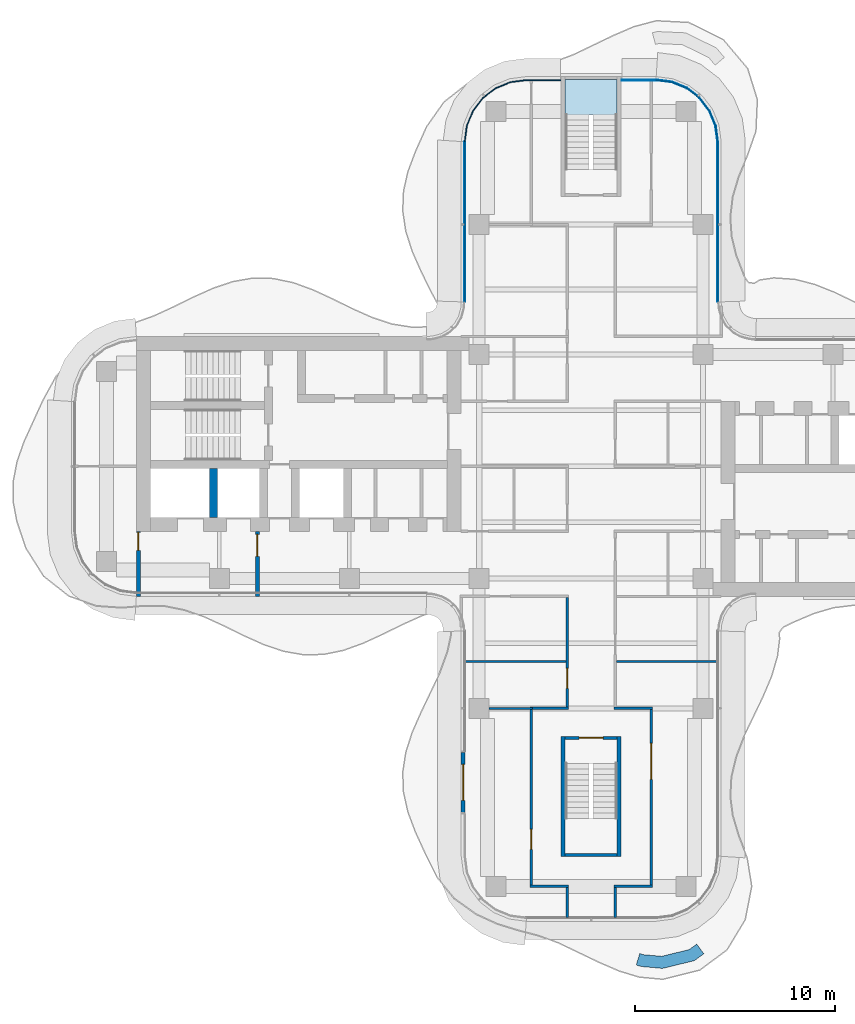
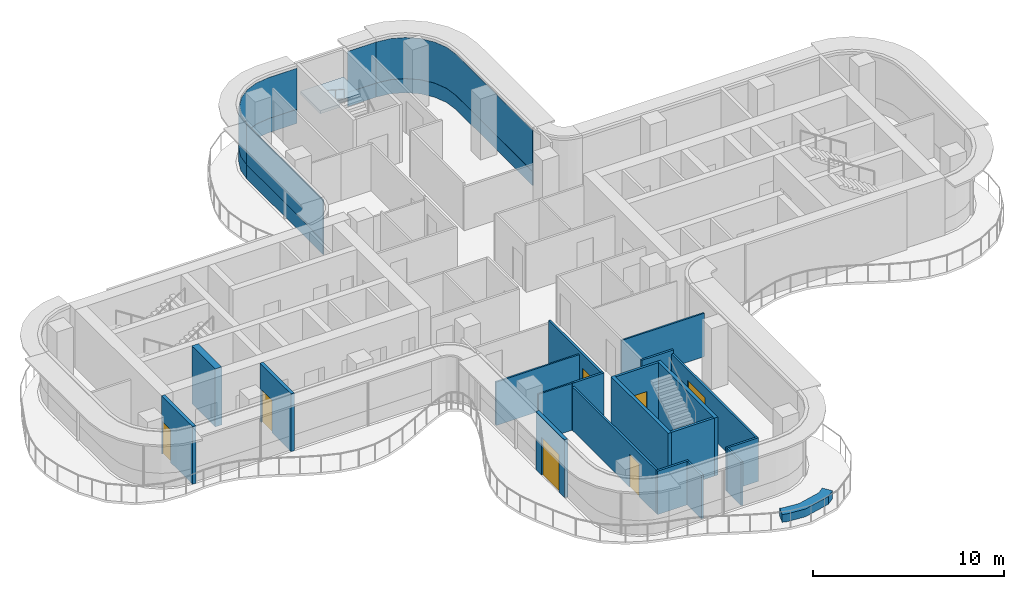
# One storey, part 10 of 16: 21 walls, 8 plates, 7 doors, 1 slab, 7 openings, 5 elements without a shape of their own.
"""IFC4 building model written with IfcOpenShell, lengths in metres."""

from ifc_helpers import new_model, si_unit, direction, frame, frame_2d, origin, place, context, subcontext, project, spatial, polyline, rectangle, outline, extrude, source, transform, mapped, material, layer, layer_set, type_object, element, fill, aggregate, save


model = new_model("IFC4")

# Units and contexts
model_context = context("Model", 3, precision=1e-05, world=origin(), true_north=direction((0.0, 1.0)))
body_context = subcontext(model_context, "Body", "Model", "MODEL_VIEW")
ifc_project = project(units=[si_unit("LENGTHUNIT", "METRE"), si_unit("AREAUNIT", "SQUARE_METRE"), si_unit("VOLUMEUNIT", "CUBIC_METRE"), si_unit("PLANEANGLEUNIT", "RADIAN"), si_unit("MASSUNIT", "GRAM", prefix="KILO")], contexts=[model_context])

# Site, building, storey
site_placement = place(None, origin())
site = spatial("IfcSite", under=ifc_project, at=site_placement, CompositionType="ELEMENT")
building_placement = place(site_placement, origin())
building = spatial("IfcBuilding", under=site, at=building_placement, Name="Trellis Farm Tower", CompositionType="ELEMENT")
storey_placement = place(building_placement, frame((0.0, 0.0, 306.699951171875)))
storey = spatial("IfcBuildingStorey", under=building, at=storey_placement, Name="L69", CompositionType="ELEMENT", Elevation=306.699951171875)

# Stair, slab
ifc_material_1 = material(Name="Concrete C50/60", Category="concrete")
stair_type = type_object("IfcStairType", Name="CORE EXIT STAIR 22 RISERS 177 MM", PredefinedType="HALF_TURN_STAIR", material=ifc_material_1)
placement_1 = place(storey_placement, origin())
stair = element("IfcStair", 1, at=placement_1, inside=storey, type_object=stair_type, Name="Exit stair N", PredefinedType="HALF_TURN_STAIR")
ifc_layer_1 = layer(ifc_material_1, 0.18994140625)
ifc_layer_set_1 = layer_set([ifc_layer_1], Name="CORE STAIR LANDING 190 CONCRETE C50/60")
slab_type = type_object("IfcSlabType", Name="CORE STAIR LANDING 190 CONCRETE C50/60", PredefinedType="LANDING", material=ifc_layer_set_1)
shared_shape_1 = source(origin(), body_context, "Body", "SweptSolid", [
    extrude(outline(polyline([(-0.10009765625, 17.27197265625), (-1.300048828125, 17.27197265625), (-1.300048828125, 17.60009765625), (-1.300048828125, 19.35009765625), (1.300048828125, 19.35009765625), (1.300048828125, 17.60009765625), (1.300048828125, 17.590087890625), (0.10009765625, 17.590087890625), (0.10009765625, 17.60009765625), (-0.10009765625, 17.60009765625), (-0.10009765625, 17.27197265625)])), origin(), (0.0, 0.0, 1.0), 0.18994140625),
])
slab_placement = place(storey_placement, frame((0.0, 0.0, 1.760009765625)))
slab = element("IfcSlab", 2, at=slab_placement, type_object=slab_type, Name="STN landing 1", PredefinedType="LANDING", context=body_context, shape_type="MappedRepresentation", body=[
    mapped(shared_shape_1, transform((0.0, 0.0, 0.0))),
])
aggregate(stair, [slab])

# Curtain wall, plates
ifc_material_2 = material(Name="Aluminium and glass curtain wall", Category="aluminium")
ifc_layer_2 = layer(ifc_material_2, 0.18994140625)
ifc_layer_set_2 = layer_set([ifc_layer_2], Name="RIBBON CURTAIN WALL CW1")
curtain_wall_type = type_object("IfcCurtainWallType", Name="RIBBON CURTAIN WALL CW1", PredefinedType="NOTDEFINED", material=ifc_layer_set_2)
curtain_wall_1 = element("IfcCurtainWall", 3, at=placement_1, inside=storey, type_object=curtain_wall_type, Name="CW1 009", PredefinedType="NOTDEFINED")
ifc_material_3 = material(Name="Clear insulated glass", Category="glass")
ifc_layer_3 = layer(ifc_material_3, 0.0400390625)
ifc_layer_set_3 = layer_set([ifc_layer_3], Name="CW1 GLASS PANEL 40")
plate_type_1 = type_object("IfcPlateType", Name="CW1 GLASS PANEL 40", PredefinedType="CURTAIN_PANEL", material=ifc_layer_set_3)
shared_shape_2 = source(origin(), body_context, "Body", "SweptSolid", [
    extrude(outline(polyline([(6.35009765625, 8.2265625), (6.35009765625, 16.240234375), (6.2431640625, 17.052001953125), (5.93359375, 17.79931640625), (5.441162109375, 18.441162109375), (4.79931640625, 18.93359375), (4.052001953125, 19.2431640625), (3.240234375, 19.35009765625), (3.237548828125, 19.31005859375), (4.04150390625, 19.2041015625), (4.779296875, 18.898681640625), (5.41259765625, 18.41259765625), (5.898681640625, 17.779296875), (6.2041015625, 17.04150390625), (6.31005859375, 16.237548828125), (6.31005859375, 8.22509765625), (6.35009765625, 8.2265625)])), origin(), (0.0, 0.0, 1.0), 2.619873046875),
])
placement_2 = place(storey_placement, frame((0.0, 0.0, 0.900146484375)))
plate_1 = element("IfcPlate", 4, at=placement_2, type_object=plate_type_1, Name="PL1 009", PredefinedType="CURTAIN_PANEL", context=body_context, shape_type="MappedRepresentation", body=[
    mapped(shared_shape_2, transform((0.0, 0.0, 0.0))),
])
ifc_material_4 = material(Name="Sandstone faced insulated panel", Category="masonry")
ifc_layer_4 = layer(ifc_material_4, 0.050048828125)
ifc_layer_set_4 = layer_set([ifc_layer_4], Name="CW1 STONE SPANDREL PANEL 50")
plate_type_2 = type_object("IfcPlateType", Name="CW1 STONE SPANDREL PANEL 50", PredefinedType="CURTAIN_PANEL", material=ifc_layer_set_4)
shared_shape_3 = source(origin(), body_context, "Body", "SweptSolid", [
    extrude(outline(polyline([(6.35009765625, 8.2265625), (6.35009765625, 16.240234375), (6.2431640625, 17.052001953125), (5.93359375, 17.79931640625), (5.441162109375, 18.441162109375), (4.79931640625, 18.93359375), (4.052001953125, 19.2431640625), (3.240234375, 19.35009765625), (3.23681640625, 19.300048828125), (4.0390625, 19.1943359375), (4.774169921875, 18.889892578125), (5.405517578125, 18.405517578125), (5.889892578125, 17.774169921875), (6.1943359375, 17.0390625), (6.300048828125, 16.23681640625), (6.300048828125, 8.224853515625), (6.35009765625, 8.2265625)])), origin(), (0.0, 0.0, 1.0), 0.900146484375),
])
plate_2 = element("IfcPlate", 5, at=placement_1, type_object=plate_type_2, Name="PS1 009", PredefinedType="CURTAIN_PANEL", context=body_context, shape_type="MappedRepresentation", body=[
    mapped(shared_shape_3, transform((0.0, 0.0, 0.0))),
])
aggregate(curtain_wall_1, [plate_1, plate_2])

curtain_wall_2 = element("IfcCurtainWall", 6, at=placement_1, inside=storey, type_object=curtain_wall_type, Name="CW1 010", PredefinedType="NOTDEFINED")
shared_shape_4 = source(origin(), body_context, "Body", "SweptSolid", [
    extrude(outline(polyline([(3.240234375, 19.35009765625), (1.530029296875, 19.35009765625), (1.530029296875, 19.31005859375), (3.237548828125, 19.31005859375), (3.240234375, 19.35009765625)])), origin(), (0.0, 0.0, 1.0), 2.619873046875),
])
plate_3 = element("IfcPlate", 7, at=placement_2, type_object=plate_type_1, Name="PL1 010", PredefinedType="CURTAIN_PANEL", context=body_context, shape_type="MappedRepresentation", body=[
    mapped(shared_shape_4, transform((0.0, 0.0, 0.0))),
])
shared_shape_5 = source(origin(), body_context, "Body", "SweptSolid", [
    extrude(outline(polyline([(3.240234375, 19.35009765625), (1.530029296875, 19.35009765625), (1.530029296875, 19.300048828125), (3.23681640625, 19.300048828125), (3.240234375, 19.35009765625)])), origin(), (0.0, 0.0, 1.0), 0.900146484375),
])
plate_4 = element("IfcPlate", 8, at=placement_1, type_object=plate_type_2, Name="PS1 010", PredefinedType="CURTAIN_PANEL", context=body_context, shape_type="MappedRepresentation", body=[
    mapped(shared_shape_5, transform((0.0, 0.0, 0.0))),
])
aggregate(curtain_wall_2, [plate_3, plate_4])

curtain_wall_3 = element("IfcCurtainWall", 9, at=placement_1, inside=storey, type_object=curtain_wall_type, Name="CW1 011", PredefinedType="NOTDEFINED")
shared_shape_6 = source(origin(), body_context, "Body", "SweptSolid", [
    extrude(outline(polyline([(-1.530029296875, 19.35009765625), (-3.240234375, 19.35009765625), (-4.052001953125, 19.2431640625), (-4.79931640625, 18.93359375), (-5.441162109375, 18.441162109375), (-5.93359375, 17.79931640625), (-6.2431640625, 17.052001953125), (-6.35009765625, 16.240234375), (-6.31005859375, 16.237548828125), (-6.2041015625, 17.04150390625), (-5.898681640625, 17.779296875), (-5.41259765625, 18.41259765625), (-4.779296875, 18.898681640625), (-4.04150390625, 19.2041015625), (-3.237548828125, 19.31005859375), (-1.530029296875, 19.31005859375), (-1.530029296875, 19.35009765625)])), origin(), (0.0, 0.0, 1.0), 2.619873046875),
])
plate_5 = element("IfcPlate", 10, at=placement_2, type_object=plate_type_1, Name="PL1 011", PredefinedType="CURTAIN_PANEL", context=body_context, shape_type="MappedRepresentation", body=[
    mapped(shared_shape_6, transform((0.0, 0.0, 0.0))),
])
shared_shape_7 = source(origin(), body_context, "Body", "SweptSolid", [
    extrude(outline(polyline([(-1.530029296875, 19.35009765625), (-3.240234375, 19.35009765625), (-4.052001953125, 19.2431640625), (-4.79931640625, 18.93359375), (-5.441162109375, 18.441162109375), (-5.93359375, 17.79931640625), (-6.2431640625, 17.052001953125), (-6.35009765625, 16.240234375), (-6.300048828125, 16.23681640625), (-6.1943359375, 17.0390625), (-5.889892578125, 17.774169921875), (-5.405517578125, 18.405517578125), (-4.774169921875, 18.889892578125), (-4.0390625, 19.1943359375), (-3.23681640625, 19.300048828125), (-1.530029296875, 19.300048828125), (-1.530029296875, 19.35009765625)])), origin(), (0.0, 0.0, 1.0), 0.900146484375),
])
plate_6 = element("IfcPlate", 11, at=placement_1, type_object=plate_type_2, Name="PS1 011", PredefinedType="CURTAIN_PANEL", context=body_context, shape_type="MappedRepresentation", body=[
    mapped(shared_shape_7, transform((0.0, 0.0, 0.0))),
])
aggregate(curtain_wall_3, [plate_5, plate_6])

curtain_wall_4 = element("IfcCurtainWall", 12, at=placement_1, inside=storey, type_object=curtain_wall_type, Name="CW1 012", PredefinedType="NOTDEFINED")
shared_shape_8 = source(origin(), body_context, "Body", "SweptSolid", [
    extrude(outline(polyline([(-6.35009765625, 16.240234375), (-6.35009765625, 8.2265625), (-6.31005859375, 8.22509765625), (-6.31005859375, 16.237548828125), (-6.35009765625, 16.240234375)])), origin(), (0.0, 0.0, 1.0), 2.619873046875),
])
plate_7 = element("IfcPlate", 13, at=placement_2, type_object=plate_type_1, Name="PL1 012", PredefinedType="CURTAIN_PANEL", context=body_context, shape_type="MappedRepresentation", body=[
    mapped(shared_shape_8, transform((0.0, 0.0, 0.0))),
])
shared_shape_9 = source(origin(), body_context, "Body", "SweptSolid", [
    extrude(outline(polyline([(-6.35009765625, 16.240234375), (-6.35009765625, 8.2265625), (-6.300048828125, 8.224853515625), (-6.300048828125, 16.23681640625), (-6.35009765625, 16.240234375)])), origin(), (0.0, 0.0, 1.0), 0.900146484375),
])
plate_8 = element("IfcPlate", 14, at=placement_1, type_object=plate_type_2, Name="PS1 012", PredefinedType="CURTAIN_PANEL", context=body_context, shape_type="MappedRepresentation", body=[
    mapped(shared_shape_9, transform((0.0, 0.0, 0.0))),
])
aggregate(curtain_wall_4, [plate_7, plate_8])

# Walls
ifc_material_5 = material(Name="Sandstone faced masonry planter", Category="masonry")
ifc_layer_5 = layer(ifc_material_5, 0.60009765625)
ifc_layer_set_5 = layer_set([ifc_layer_5], Name="PLANTER BED 600")
wall_type_1 = type_object("IfcWallType", Name="PLANTER BED 600", PredefinedType="USERDEFINED", material=ifc_layer_set_5)
element("IfcWall", 15, at=placement_1, inside=storey, type_object=wall_type_1, Name="PLANTER bed", ObjectType="PLANTER", PredefinedType="USERDEFINED", context=body_context, shape_type="SweptSolid", body=[
    extrude(outline(polyline([(3.565185546875, -25.108154296875), (2.497314453125, -25.012451171875), (2.251708984375, -24.936767578125), (2.42822265625, -24.36328125), (2.61376953125, -24.42041015625), (3.52001953125, -24.501708984375), (4.906005859375, -24.1650390625), (5.274658203125, -23.890625), (5.6328125, -24.3720703125), (5.166015625, -24.71923828125), (3.565185546875, -25.108154296875)])), origin(), (0.0, 0.0, 1.0), 0.5),
])
ifc_layer_6 = layer(ifc_material_1, 0.39990234375)
ifc_layer_set_6 = layer_set([ifc_layer_6], Name="CORE INNER WALL 400 CONCRETE C50/60")
wall_type_2 = type_object("IfcWallType", Name="CORE INNER WALL 400 CONCRETE C50/60", PredefinedType="SHEAR", material=ifc_layer_set_6)
shared_shape_10 = source(origin(), body_context, "Body", "SweptSolid", [
    extrude(rectangle(XDim=2.449951171875, YDim=0.39990234375, at=frame_2d((1.22509765625, 0.0))), origin(), (0.0, 0.0, 1.0), 3.699951171875),
])
wall_2_placement = place(storey_placement, frame((-18.89990234375, -0.10009765625, 0.0), z_axis=(0.0, 0.0, 1.0), x_axis=(0.0, -1.0, 0.0)))
element("IfcWall", 16, at=wall_2_placement, inside=storey, type_object=wall_type_2, Name="Core wall", PredefinedType="SHEAR", context=body_context, shape_type="MappedRepresentation", body=[
    mapped(shared_shape_10, transform((0.0, 0.0, 0.0))),
])

# Wall, opening, door
ifc_material_6 = material(Name="Masonry blockwork", Category="masonry")
ifc_layer_7 = layer(ifc_material_6, 0.199951171875)
ifc_layer_set_7 = layer_set([ifc_layer_7], Name="FIRE LOBBY PARTITION 200 BLOCKWORK")
wall_type_3 = type_object("IfcWallType", Name="FIRE LOBBY PARTITION 200 BLOCKWORK", PredefinedType="PARTITIONING", material=ifc_layer_set_7)
shared_shape_11 = source(origin(), body_context, "Body", "SweptSolid", [
    extrude(rectangle(XDim=3.25, YDim=0.199951171875, at=frame_2d((1.625, 0.0))), origin(), (0.0, 0.0, 1.0), 3.699951171875),
])
wall_3_placement = place(storey_placement, frame((-16.699951171875, -3.25, 0.0), z_axis=(0.0, 0.0, 1.0), x_axis=(0.0, -1.0, 0.0)))
wall_3 = element("IfcWall", 17, at=wall_3_placement, inside=storey, type_object=wall_type_3, Name="Fire-fighting lobby partition", PredefinedType="PARTITIONING", context=body_context, shape_type="MappedRepresentation", body=[
    mapped(shared_shape_11, transform((0.0, 0.0, 0.0))),
])
shared_shape_12 = source(origin(), body_context, "Body", "SweptSolid", [
    extrude(rectangle(XDim=1.10009765625, YDim=2.10009765625, at=frame_2d((0.550048828125, 1.050048828125))), frame((0.0, 0.110107421875, 0.0), z_axis=(0.0, -1.0, 0.0), x_axis=(1.0, 0.0, 0.0)), (0.0, 0.0, 1.0), 0.22021484375),
])
opening_1_placement = place(wall_3_placement, frame((0.14990234375, 0.0, 0.0)))
opening_1 = element("IfcOpeningElement", 18, at=opening_1_placement, cuts=wall_3, Name="Opening DC93", PredefinedType="OPENING", context=body_context, shape_type="MappedRepresentation", body=[
    mapped(shared_shape_12, transform((0.0, 0.0, 0.0))),
])
ifc_material_7 = material(Name="Steel", Category="steel")
door_type_1 = type_object("IfcDoorType", Name="CORE FIRE DOOR 1100 X 2100", OperationType="NOTDEFINED", PredefinedType="DOOR", material=ifc_material_7)
shared_shape_13 = source(origin(), body_context, "Body", "SweptSolid", [
    extrude(rectangle(XDim=1.10009765625, YDim=2.10009765625, at=frame_2d((0.550048828125, 1.050048828125))), frame((0.0, 0.02490234375, 0.0), z_axis=(0.0, -1.0, 0.0), x_axis=(1.0, 0.0, 0.0)), (0.0, 0.0, 1.0), 0.050048828125),
])
door_1_placement = place(opening_1_placement, origin())
door_1 = element("IfcDoor", 19, at=door_1_placement, inside=storey, type_object=door_type_1, Name="Core door", OperationType="SINGLE_SWING_RIGHT", OverallHeight=2.10009765625, OverallWidth=1.10009765625, PredefinedType="DOOR", context=body_context, shape_type="MappedRepresentation", body=[
    mapped(shared_shape_13, transform((0.0, 0.0, 0.0))),
])
fill(opening_1, door_1)

wall_4_placement = place(storey_placement, frame((-22.64990234375, -3.25, 0.0), z_axis=(0.0, 0.0, 1.0), x_axis=(0.0, -1.0, 0.0)))
wall_4 = element("IfcWall", 20, at=wall_4_placement, inside=storey, type_object=wall_type_3, Name="Fire-fighting lobby partition", PredefinedType="PARTITIONING", context=body_context, shape_type="MappedRepresentation", body=[
    mapped(shared_shape_11, transform((0.0, 0.0, 0.0))),
])
shared_shape_14 = source(origin(), body_context, "Body", "SweptSolid", [
    extrude(rectangle(XDim=0.89990234375, YDim=2.10009765625, at=frame_2d((0.449951171875, 1.050048828125))), frame((0.0, 0.110107421875, 0.0), z_axis=(0.0, -1.0, 0.0), x_axis=(1.0, 0.0, 0.0)), (0.0, 0.0, 1.0), 0.22021484375),
])
opening_2_placement = place(wall_4_placement, frame((0.050048828125, 0.0, 0.0)))
opening_2 = element("IfcOpeningElement", 21, at=opening_2_placement, cuts=wall_4, Name="Opening DC94", PredefinedType="OPENING", context=body_context, shape_type="MappedRepresentation", body=[
    mapped(shared_shape_14, transform((0.0, 0.0, 0.0))),
])
door_type_2 = type_object("IfcDoorType", Name="CORE FIRE DOOR 900 X 2100", OperationType="NOTDEFINED", PredefinedType="DOOR", material=ifc_material_7)
shared_shape_15 = source(origin(), body_context, "Body", "SweptSolid", [
    extrude(rectangle(XDim=0.89990234375, YDim=2.10009765625, at=frame_2d((0.449951171875, 1.050048828125))), frame((0.0, 0.02490234375, 0.0), z_axis=(0.0, -1.0, 0.0), x_axis=(1.0, 0.0, 0.0)), (0.0, 0.0, 1.0), 0.050048828125),
])
door_2_placement = place(opening_2_placement, origin())
door_2 = element("IfcDoor", 22, at=door_2_placement, inside=storey, type_object=door_type_2, Name="Core door", OperationType="SINGLE_SWING_RIGHT", OverallHeight=2.10009765625, OverallWidth=0.89990234375, PredefinedType="DOOR", context=body_context, shape_type="MappedRepresentation", body=[
    mapped(shared_shape_15, transform((0.0, 0.0, 0.0))),
])
fill(opening_2, door_2)

# Walls
ifc_layer_8 = layer(ifc_material_1, 0.199951171875)
ifc_layer_set_8 = layer_set([ifc_layer_8], Name="CORE STAIR ENCLOSURE WALL 200 CONCRETE C50/60")
wall_type_4 = type_object("IfcWallType", Name="CORE STAIR ENCLOSURE WALL 200 CONCRETE C50/60", PredefinedType="SHEAR", material=ifc_layer_set_8)
shared_shape_16 = source(origin(), body_context, "Body", "SweptSolid", [
    extrude(rectangle(XDim=6.0, YDim=0.199951171875, at=frame_2d((3.0, 0.0))), origin(), (0.0, 0.0, 1.0), 3.699951171875),
])
for number, where, z_axis, x_axis, name in (
    (23, (1.39990234375, -13.5, 0.0), (0.0, 0.0, 1.0), (0.0, -1.0, 0.0), "Stair enclosure wall"),
    (24, (-1.39990234375, -13.5, 0.0), (0.0, 0.0, 1.0), (0.0, -1.0, 0.0), "Stair enclosure wall"),
):
    element("IfcWall", number, at=place(storey_placement, frame(where, z_axis=z_axis, x_axis=x_axis)), inside=storey, type_object=wall_type_4, Name=name, PredefinedType="SHEAR", context=body_context, shape_type="MappedRepresentation", body=[
        mapped(shared_shape_16, transform((0.0, 0.0, 0.0))),
    ])

# Wall, opening, door
ifc_layer_9 = layer(ifc_material_1, 0.14990234375)
ifc_layer_set_9 = layer_set([ifc_layer_9], Name="CORE STAIR ENCLOSURE WALL 150 CONCRETE C50/60")
wall_type_5 = type_object("IfcWallType", Name="CORE STAIR ENCLOSURE WALL 150 CONCRETE C50/60", PredefinedType="SHEAR", material=ifc_layer_set_9)
shared_shape_17 = source(origin(), body_context, "Body", "SweptSolid", [
    extrude(rectangle(XDim=2.60009765625, YDim=0.14990234375, at=frame_2d((1.300048828125, 0.0))), origin(), (0.0, 0.0, 1.0), 3.699951171875),
])
wall_5_placement = place(storey_placement, frame((1.300048828125, -13.574951171875, 0.0), z_axis=(0.0, 0.0, 1.0), x_axis=(-1.0, 0.0, 0.0)))
wall_5 = element("IfcWall", 25, at=wall_5_placement, inside=storey, type_object=wall_type_5, Name="Stair enclosure wall", PredefinedType="SHEAR", context=body_context, shape_type="MappedRepresentation", body=[
    mapped(shared_shape_17, transform((0.0, 0.0, 0.0))),
])
shared_shape_18 = source(origin(), body_context, "Body", "SweptSolid", [
    extrude(rectangle(XDim=1.199951171875, YDim=2.10009765625, at=frame_2d((0.60009765625, 1.050048828125))), frame((0.0, 0.0849609375, 0.0), z_axis=(0.0, -1.0, 0.0), x_axis=(1.0, 0.0, 0.0)), (0.0, 0.0, 1.0), 0.169921875),
])
opening_3_placement = place(wall_5_placement, frame((0.699951171875, 0.0, 0.0)))
opening_3 = element("IfcOpeningElement", 26, at=opening_3_placement, cuts=wall_5, Name="Opening DC174", PredefinedType="OPENING", context=body_context, shape_type="MappedRepresentation", body=[
    mapped(shared_shape_18, transform((0.0, 0.0, 0.0))),
])
door_type_3 = type_object("IfcDoorType", Name="CORE FIRE DOOR 1200 X 2100", OperationType="NOTDEFINED", PredefinedType="DOOR", material=ifc_material_7)
shared_shape_19 = source(origin(), body_context, "Body", "SweptSolid", [
    extrude(rectangle(XDim=1.199951171875, YDim=2.10009765625, at=frame_2d((0.60009765625, 1.050048828125))), frame((0.0, 0.02490234375, 0.0), z_axis=(0.0, -1.0, 0.0), x_axis=(1.0, 0.0, 0.0)), (0.0, 0.0, 1.0), 0.050048828125),
])
door_3_placement = place(opening_3_placement, origin())
door_3 = element("IfcDoor", 27, at=door_3_placement, inside=storey, type_object=door_type_3, Name="Core door", OperationType="SINGLE_SWING_RIGHT", OverallHeight=2.10009765625, OverallWidth=1.199951171875, PredefinedType="DOOR", context=body_context, shape_type="MappedRepresentation", body=[
    mapped(shared_shape_19, transform((0.0, 0.0, 0.0))),
])
fill(opening_3, door_3)

# Wall
wall_6_placement = place(storey_placement, frame((1.300048828125, -19.425048828125, 0.0), z_axis=(0.0, 0.0, 1.0), x_axis=(-1.0, 0.0, 0.0)))
element("IfcWall", 28, at=wall_6_placement, inside=storey, type_object=wall_type_5, Name="Stair enclosure wall", PredefinedType="SHEAR", context=body_context, shape_type="MappedRepresentation", body=[
    mapped(shared_shape_17, transform((0.0, 0.0, 0.0))),
])

# Wall, opening, door
ifc_material_8 = material(Name="Sandstone faced insulated wall", Category="masonry")
ifc_layer_10 = layer(ifc_material_8, 0.199951171875)
ifc_layer_set_10 = layer_set([ifc_layer_10], Name="EXTERNAL INFILL WALL 200")
wall_type_6 = type_object("IfcWallType", Name="EXTERNAL INFILL WALL 200", PredefinedType="SOLIDWALL", material=ifc_layer_set_10)
shared_shape_20 = source(origin(), body_context, "Body", "SweptSolid", [
    extrude(rectangle(XDim=3.0, YDim=0.199951171875, at=frame_2d((1.5, 0.0))), origin(), (0.0, 0.0, 1.0), 3.699951171875),
])
wall_7_placement = place(storey_placement, frame((-6.39990234375, -14.300048828125, 0.0), z_axis=(0.0, 0.0, 1.0), x_axis=(0.0, -1.0, 0.0)))
wall_7 = element("IfcWall", 29, at=wall_7_placement, inside=storey, type_object=wall_type_6, Name="EW1 01", PredefinedType="SOLIDWALL", context=body_context, shape_type="MappedRepresentation", body=[
    mapped(shared_shape_20, transform((0.0, 0.0, 0.0))),
])
shared_shape_21 = source(origin(), body_context, "Body", "SweptSolid", [
    extrude(rectangle(XDim=1.800048828125, YDim=2.39990234375, at=frame_2d((0.89990234375, 1.199951171875))), frame((0.0, 0.110107421875, 0.0), z_axis=(0.0, -1.0, 0.0), x_axis=(1.0, 0.0, 0.0)), (0.0, 0.0, 1.0), 0.22021484375),
])
opening_4_placement = place(wall_7_placement, frame((0.60009765625, 0.0, 0.0)))
opening_4 = element("IfcOpeningElement", 30, at=opening_4_placement, cuts=wall_7, Name="Opening ED1", PredefinedType="OPENING", context=body_context, shape_type="MappedRepresentation", body=[
    mapped(shared_shape_21, transform((0.0, 0.0, 0.0))),
])
ifc_material_9 = material(Name="Aluminium framed glazed door", Category="aluminium")
door_type_4 = type_object("IfcDoorType", Name="BALCONY DOOR 1800x2400", OperationType="DOUBLE_DOOR_SINGLE_SWING", PredefinedType="DOOR", material=ifc_material_9)
shared_shape_22 = source(origin(), body_context, "Body", "SweptSolid", [
    extrude(rectangle(XDim=1.800048828125, YDim=2.39990234375, at=frame_2d((0.89990234375, 1.199951171875))), frame((0.0, 0.02490234375, 0.0), z_axis=(0.0, -1.0, 0.0), x_axis=(1.0, 0.0, 0.0)), (0.0, 0.0, 1.0), 0.050048828125),
])
door_4_placement = place(opening_4_placement, origin())
door_4 = element("IfcDoor", 31, at=door_4_placement, inside=storey, type_object=door_type_4, Name="Balcony door", OperationType="DOUBLE_DOOR_SINGLE_SWING", OverallHeight=2.39990234375, OverallWidth=1.800048828125, PredefinedType="DOOR", context=body_context, shape_type="MappedRepresentation", body=[
    mapped(shared_shape_22, transform((0.0, 0.0, 0.0))),
])
fill(opening_4, door_4)

ifc_material_10 = material(Name="Plasterboard on steel studs, mineral wool", Category="steel")
ifc_layer_11 = layer(ifc_material_10, 0.125)
ifc_layer_set_11 = layer_set([ifc_layer_11], Name="PARTITION 125 STUD EI 60")
wall_type_7 = type_object("IfcWallType", Name="PARTITION 125 STUD EI 60", PredefinedType="PARTITIONING", material=ifc_layer_set_11)
shared_shape_23 = source(origin(), body_context, "Body", "SweptSolid", [
    extrude(rectangle(XDim=5.47509765625, YDim=0.125, at=frame_2d((2.737548828125, 0.0))), origin(), (0.0, 0.0, 1.0), 2.99658203125),
])
wall_8_placement = place(storey_placement, frame((-1.199951171875, -6.5625, 0.0), z_axis=(0.0, 0.0, 1.0), x_axis=(0.0, -1.0, 0.0)))
wall_8 = element("IfcWall", 32, at=wall_8_placement, inside=storey, type_object=wall_type_7, Name="Partition PW1", PredefinedType="PARTITIONING", context=body_context, shape_type="MappedRepresentation", body=[
    mapped(shared_shape_23, transform((0.0, 0.0, 0.0))),
])
shared_shape_24 = source(origin(), body_context, "Body", "SweptSolid", [
    extrude(rectangle(XDim=1.0, YDim=2.10009765625, at=frame_2d((0.5, 1.050048828125))), frame((0.0, 0.072509765625, 0.0), z_axis=(0.0, -1.0, 0.0), x_axis=(1.0, 0.0, 0.0)), (0.0, 0.0, 1.0), 0.14501953125),
])
opening_5_placement = place(wall_8_placement, frame((3.53759765625, 0.0, 0.0)))
opening_5 = element("IfcOpeningElement", 33, at=opening_5_placement, cuts=wall_8, Name="Opening D102", PredefinedType="OPENING", context=body_context, shape_type="MappedRepresentation", body=[
    mapped(shared_shape_24, transform((0.0, 0.0, 0.0))),
])
ifc_material_11 = material(Name="Fire-rated timber door leaf in a hollow metal frame", Category="wood")
door_type_5 = type_object("IfcDoorType", Name="DOOR 1000x2100 FD30S", OperationType="NOTDEFINED", PredefinedType="DOOR", material=ifc_material_11)
shared_shape_25 = source(origin(), body_context, "Body", "SweptSolid", [
    extrude(rectangle(XDim=1.0, YDim=2.10009765625, at=frame_2d((0.5, 1.050048828125))), frame((0.0, 0.02490234375, 0.0), z_axis=(0.0, -1.0, 0.0), x_axis=(1.0, 0.0, 0.0)), (0.0, 0.0, 1.0), 0.050048828125),
])
door_5_placement = place(opening_5_placement, origin())
door_5 = element("IfcDoor", 34, at=door_5_placement, inside=storey, type_object=door_type_5, Name="Door D102", OperationType="SINGLE_SWING_LEFT", OverallHeight=2.10009765625, OverallWidth=1.0, PredefinedType="DOOR", context=body_context, shape_type="MappedRepresentation", body=[
    mapped(shared_shape_25, transform((0.0, 0.0, 0.0))),
])
fill(opening_5, door_5)

# Walls
shared_shape_26 = source(origin(), body_context, "Body", "SweptSolid", [
    extrude(rectangle(XDim=1.925048828125, YDim=0.125, at=frame_2d((0.96240234375, 0.0))), origin(), (0.0, 0.0, 1.0), 2.99658203125),
])
for number, where, z_axis, x_axis, name in (
    (35, (-3.0625, -12.10009765625, 0.0), (0.0, 0.0, 1.0), (1.0, 0.0, 0.0), "Partition PW1"),
    (36, (1.137451171875, -12.10009765625, 0.0), (0.0, 0.0, 1.0), (1.0, 0.0, 0.0), "Partition PW1"),
):
    element("IfcWall", number, at=place(storey_placement, frame(where, z_axis=z_axis, x_axis=x_axis)), inside=storey, type_object=wall_type_7, Name=name, PredefinedType="PARTITIONING", context=body_context, shape_type="MappedRepresentation", body=[
        mapped(shared_shape_26, transform((0.0, 0.0, 0.0))),
    ])
ifc_material_12 = material(Name="Plasterboard on steel studs", Category="steel")
ifc_layer_12 = layer(ifc_material_12, 0.10009765625)
ifc_layer_set_12 = layer_set([ifc_layer_12], Name="PARTITION 100 STUD EI 30")
wall_type_8 = type_object("IfcWallType", Name="PARTITION 100 STUD EI 30", PredefinedType="PARTITIONING", material=ifc_layer_set_12)
shared_shape_27 = source(origin(), body_context, "Body", "SweptSolid", [
    extrude(rectangle(XDim=5.03759765625, YDim=0.10009765625, at=frame_2d((2.518798828125, 0.0))), origin(), (0.0, 0.0, 1.0), 2.780029296875),
])
for number, where, z_axis, x_axis, name in (
    (37, (-6.300048828125, -9.75, 0.0), (0.0, 0.0, 1.0), (1.0, 0.0, 0.0), "Partition PW2"),
    (38, (1.262451171875, -9.75, 0.0), (0.0, 0.0, 1.0), (1.0, 0.0, 0.0), "Partition PW2"),
):
    element("IfcWall", number, at=place(storey_placement, frame(where, z_axis=z_axis, x_axis=x_axis)), inside=storey, type_object=wall_type_8, Name=name, PredefinedType="PARTITIONING", context=body_context, shape_type="MappedRepresentation", body=[
        mapped(shared_shape_27, transform((0.0, 0.0, 0.0))),
    ])

# Wall, opening, door
shared_shape_28 = source(origin(), body_context, "Body", "SweptSolid", [
    extrude(rectangle(XDim=8.77490234375, YDim=0.125, at=frame_2d((4.387451171875, 0.0))), origin(), (0.0, 0.0, 1.0), 2.780029296875),
])
wall_9_placement = place(storey_placement, frame((3.0, -12.16259765625, 0.0), z_axis=(0.0, 0.0, 1.0), x_axis=(0.0, -1.0, 0.0)))
wall_9 = element("IfcWall", 39, at=wall_9_placement, inside=storey, type_object=wall_type_7, Name="Partition PW1", PredefinedType="PARTITIONING", context=body_context, shape_type="MappedRepresentation", body=[
    mapped(shared_shape_28, transform((0.0, 0.0, 0.0))),
])
shared_shape_29 = source(origin(), body_context, "Body", "SweptSolid", [
    extrude(rectangle(XDim=1.800048828125, YDim=2.10009765625, at=frame_2d((0.89990234375, 1.050048828125))), frame((0.0, 0.072509765625, 0.0), z_axis=(0.0, -1.0, 0.0), x_axis=(1.0, 0.0, 0.0)), (0.0, 0.0, 1.0), 0.14501953125),
])
opening_6_placement = place(wall_9_placement, frame((1.6875, 0.0, 0.0)))
opening_6 = element("IfcOpeningElement", 40, at=opening_6_placement, cuts=wall_9, Name="Opening D201", PredefinedType="OPENING", context=body_context, shape_type="MappedRepresentation", body=[
    mapped(shared_shape_29, transform((0.0, 0.0, 0.0))),
])
door_type_6 = type_object("IfcDoorType", Name="DOOR PAIR 1800x2100 FD30S", OperationType="NOTDEFINED", PredefinedType="DOOR", material=ifc_material_11)
shared_shape_30 = source(origin(), body_context, "Body", "SweptSolid", [
    extrude(rectangle(XDim=1.800048828125, YDim=2.10009765625, at=frame_2d((0.89990234375, 1.050048828125))), frame((0.0, 0.02490234375, 0.0), z_axis=(0.0, -1.0, 0.0), x_axis=(1.0, 0.0, 0.0)), (0.0, 0.0, 1.0), 0.050048828125),
])
door_6_placement = place(opening_6_placement, origin())
door_6 = element("IfcDoor", 41, at=door_6_placement, inside=storey, type_object=door_type_6, Name="Door D201", OperationType="DOUBLE_DOOR_SINGLE_SWING", OverallHeight=2.10009765625, OverallWidth=1.800048828125, PredefinedType="DOOR", context=body_context, shape_type="MappedRepresentation", body=[
    mapped(shared_shape_30, transform((0.0, 0.0, 0.0))),
])
fill(opening_6, door_6)

# Walls
shared_shape_31 = source(origin(), body_context, "Body", "SweptSolid", [
    extrude(rectangle(XDim=1.487548828125, YDim=0.125, at=frame_2d((0.74365234375, 0.0))), origin(), (0.0, 0.0, 1.0), 2.780029296875),
])
for number, where, z_axis, x_axis, name in (
    (42, (-1.199951171875, -21.0625, 0.0), (0.0, 0.0, 1.0), (0.0, -1.0, 0.0), "Partition PW1"),
    (43, (1.199951171875, -21.0625, 0.0), (0.0, 0.0, 1.0), (0.0, -1.0, 0.0), "Partition PW1"),
):
    element("IfcWall", number, at=place(storey_placement, frame(where, z_axis=z_axis, x_axis=x_axis)), inside=storey, type_object=wall_type_7, Name=name, PredefinedType="PARTITIONING", context=body_context, shape_type="MappedRepresentation", body=[
        mapped(shared_shape_31, transform((0.0, 0.0, 0.0))),
    ])
shared_shape_32 = source(origin(), body_context, "Body", "SweptSolid", [
    extrude(rectangle(XDim=1.925048828125, YDim=0.125, at=frame_2d((0.96240234375, 0.0))), origin(), (0.0, 0.0, 1.0), 2.780029296875),
])
for number, where, z_axis, x_axis, name in (
    (44, (-1.137451171875, -21.0, 0.0), (0.0, 0.0, 1.0), (-1.0, 0.0, 0.0), "Partition PW1"),
    (45, (3.0625, -21.0, 0.0), (0.0, 0.0, 1.0), (-1.0, 0.0, 0.0), "Partition PW1"),
):
    element("IfcWall", number, at=place(storey_placement, frame(where, z_axis=z_axis, x_axis=x_axis)), inside=storey, type_object=wall_type_7, Name=name, PredefinedType="PARTITIONING", context=body_context, shape_type="MappedRepresentation", body=[
        mapped(shared_shape_32, transform((0.0, 0.0, 0.0))),
    ])

# Wall, opening, door
shared_shape_33 = source(origin(), body_context, "Body", "SweptSolid", [
    extrude(rectangle(XDim=8.78759765625, YDim=0.125, at=frame_2d((4.393798828125, 0.0))), origin(), (0.0, 0.0, 1.0), 2.780029296875),
])
wall_10_placement = place(storey_placement, frame((-3.0, -20.9375, 0.0), z_axis=(0.0, 0.0, 1.0), x_axis=(0.0, 1.0, 0.0)))
wall_10 = element("IfcWall", 46, at=wall_10_placement, inside=storey, type_object=wall_type_7, Name="Partition PW1", PredefinedType="PARTITIONING", context=body_context, shape_type="MappedRepresentation", body=[
    mapped(shared_shape_33, transform((0.0, 0.0, 0.0))),
])
opening_7_placement = place(wall_10_placement, frame((1.78759765625, 0.0, 0.0)))
opening_7 = element("IfcOpeningElement", 47, at=opening_7_placement, cuts=wall_10, Name="Opening D101", PredefinedType="OPENING", context=body_context, shape_type="MappedRepresentation", body=[
    mapped(shared_shape_24, transform((0.0, 0.0, 0.0))),
])
door_7_placement = place(opening_7_placement, origin())
door_7 = element("IfcDoor", 48, at=door_7_placement, inside=storey, type_object=door_type_5, Name="Door D101", OperationType="SINGLE_SWING_LEFT", OverallHeight=2.10009765625, OverallWidth=1.0, PredefinedType="DOOR", context=body_context, shape_type="MappedRepresentation", body=[
    mapped(shared_shape_25, transform((0.0, 0.0, 0.0))),
])
fill(opening_7, door_7)

# Wall
shared_shape_34 = source(origin(), body_context, "Body", "SweptSolid", [
    extrude(rectangle(XDim=2.16259765625, YDim=0.10009765625, at=frame_2d((1.081298828125, 0.0))), origin(), (0.0, 0.0, 1.0), 2.99658203125),
])
wall_11_placement = place(storey_placement, frame((-5.10009765625, -12.10009765625, 0.0), z_axis=(0.0, 0.0, 1.0), x_axis=(1.0, 0.0, 0.0)))
element("IfcWall", 49, at=wall_11_placement, inside=storey, type_object=wall_type_8, Name="Partition PW2", PredefinedType="PARTITIONING", context=body_context, shape_type="MappedRepresentation", body=[
    mapped(shared_shape_34, transform((0.0, 0.0, 0.0))),
])

save(model, "model.ifc")
